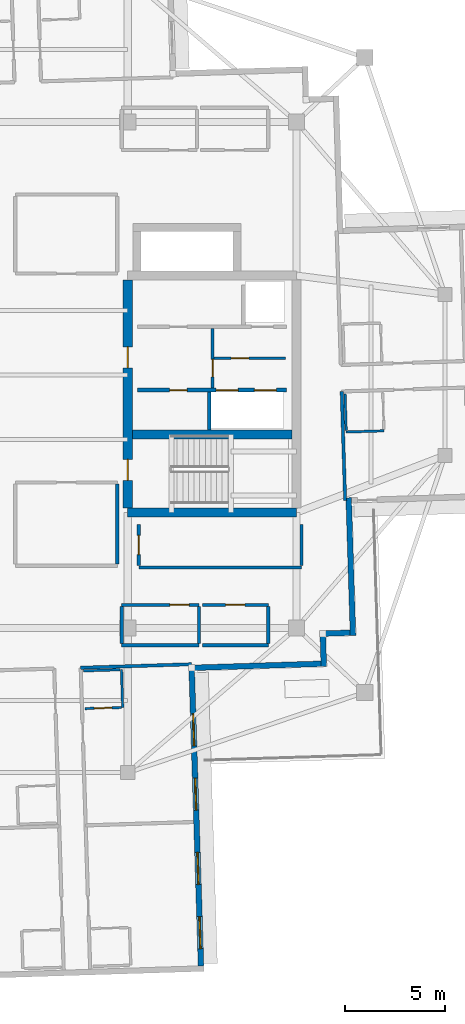
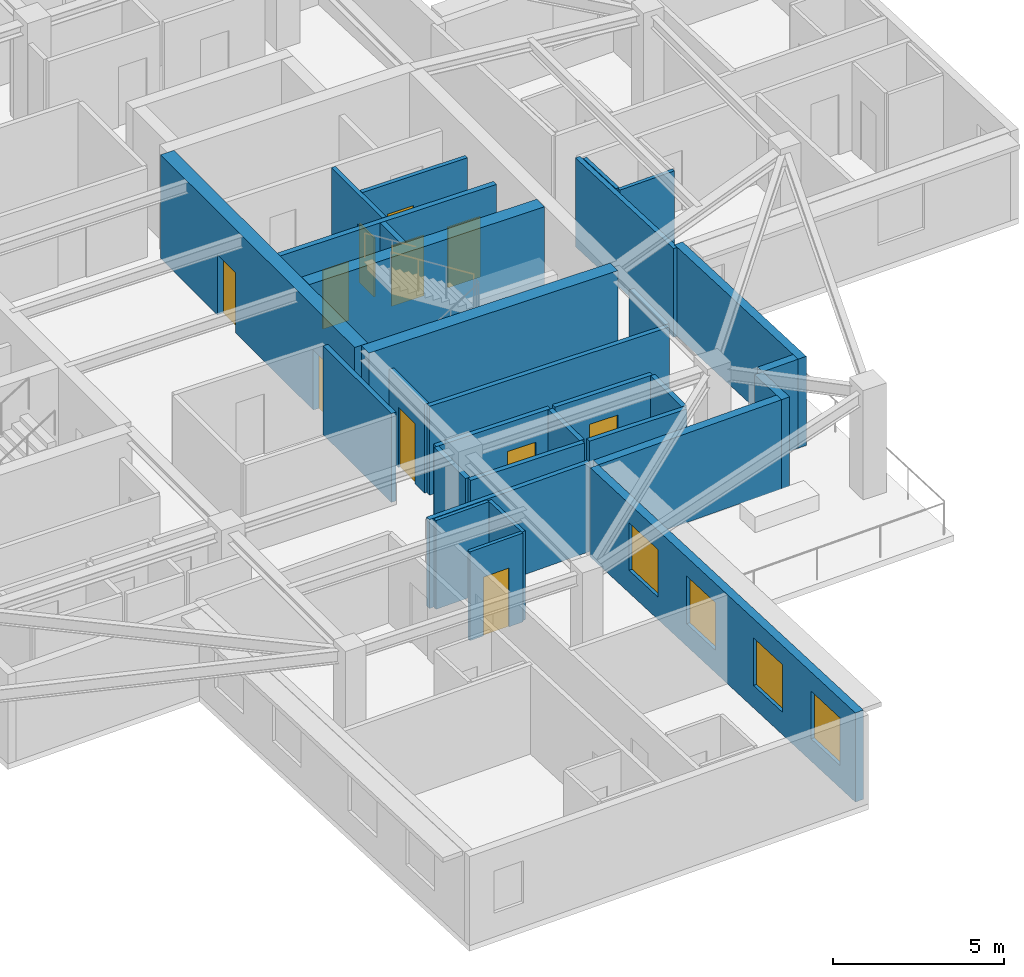
# One storey, part 5 of 13: 30 walls, 11 doors, 4 windows, 15 openings.
"""IFC4 building model written with IfcOpenShell, lengths in metres."""

from ifc_helpers import new_model, si_unit, direction, frame, frame_2d, origin, place, context, subcontext, project, spatial, rectangle, extrude, material, layer, layer_set, type_object, element, fill, save


model = new_model("IFC4")

# Units and contexts
model_context = context("Model", 3, precision=1e-05, world=origin(), true_north=direction((0.0, 1.0)))
body_context = subcontext(model_context, "Body", "Model", "MODEL_VIEW")
ifc_project = project(units=[si_unit("LENGTHUNIT", "METRE"), si_unit("AREAUNIT", "SQUARE_METRE"), si_unit("VOLUMEUNIT", "CUBIC_METRE"), si_unit("PLANEANGLEUNIT", "RADIAN"), si_unit("MASSUNIT", "GRAM", prefix="KILO")], contexts=[model_context])

# Site, building, storey
site_placement = place(None, origin())
site = spatial("IfcSite", under=ifc_project, at=site_placement, CompositionType="ELEMENT")
building_placement = place(site_placement, origin())
building = spatial("IfcBuilding", under=site, at=building_placement, Name="Qingluan Cross Belvedere", CompositionType="ELEMENT")
storey_placement = place(building_placement, frame((0.0, 0.0, 273.300048828125)))
storey = spatial("IfcBuildingStorey", under=building, at=storey_placement, Name="L68", CompositionType="ELEMENT", Elevation=273.300048828125)

# Wall
ifc_material_1 = material(Name="Concrete C50", Category="concrete")
ifc_layer_1 = layer(ifc_material_1, 0.449951171875, Name="CoreShearWall_450")
ifc_layer_set_1 = layer_set([ifc_layer_1], Name="Concrete C50")
wall_type_1 = type_object("IfcWallType", Name="CoreShearWall_450", PredefinedType="SHEAR", material=ifc_layer_set_1)
wall_1_placement = place(storey_placement, frame((4.0, -6.85009765625, 0.0), z_axis=(0.0, 0.0, 1.0), x_axis=(1.0, 0.0, 0.0)))
element("IfcWall", 1, at=wall_1_placement, inside=storey, type_object=wall_type_1, Name="Split core E shear wall L68-S", PredefinedType="SHEAR", context=body_context, shape_type="SweptSolid", body=[
    extrude(rectangle(XDim=8.39990234375, YDim=0.449951171875, at=frame_2d((4.199951171875, 0.0))), origin(), (0.0, 0.0, 1.0), 3.699951171875),
])

# Wall, openings, doors
wall_2_placement = place(storey_placement, frame((4.0, -6.6201171875, 0.0), z_axis=(0.0, 0.0, 1.0), x_axis=(0.0, 1.0, 0.0)))
wall_2 = element("IfcWall", 2, at=wall_2_placement, inside=storey, type_object=wall_type_1, Name="Split core E shear wall L68-W", PredefinedType="SHEAR", context=body_context, shape_type="SweptSolid", body=[
    extrude(rectangle(XDim=11.340087890625, YDim=0.449951171875, at=frame_2d((5.669921875, 0.0))), origin(), (0.0, 0.0, 1.0), 3.699951171875),
])
opening_1_placement = place(wall_2_placement, frame((1.3701171875, 0.0, 0.0)))
opening_1 = element("IfcOpeningElement", 3, at=opening_1_placement, cuts=wall_2, Name="Opening FD-B11", PredefinedType="OPENING", context=body_context, shape_type="SweptSolid", body=[
    extrude(rectangle(XDim=1.050048828125, YDim=2.14990234375, at=frame_2d((0.52490234375, 1.074951171875))), frame((0.0, 0.23486328125, 0.0), z_axis=(0.0, -1.0, 0.0), x_axis=(1.0, 0.0, 0.0)), (0.0, 0.0, 1.0), 0.469970703125),
])
opening_2_placement = place(wall_2_placement, frame((6.969970703125, 0.0, 0.0)))
opening_2 = element("IfcOpeningElement", 4, at=opening_2_placement, cuts=wall_2, Name="Opening FD-B11", PredefinedType="OPENING", context=body_context, shape_type="SweptSolid", body=[
    extrude(rectangle(XDim=1.050048828125, YDim=2.14990234375, at=frame_2d((0.52490234375, 1.074951171875))), frame((0.0, 0.23486328125, 0.0), z_axis=(0.0, -1.0, 0.0), x_axis=(1.0, 0.0, 0.0)), (0.0, 0.0, 1.0), 0.469970703125),
])
ifc_material_2 = material(Name="Steel Class B smoke-seal fire door", Category="steel")
door_type_1 = type_object("IfcDoorType", Name="StairLobbyFireDoor_FDB", OperationType="NOTDEFINED", PredefinedType="DOOR", material=ifc_material_2)
door_1_placement = place(opening_1_placement, origin())
door_1 = element("IfcDoor", 5, at=door_1_placement, inside=storey, type_object=door_type_1, Name="Smoke-proof stair ST2 fire door L68", OperationType="SINGLE_SWING_LEFT", OverallHeight=2.14990234375, OverallWidth=1.050048828125, PredefinedType="DOOR", context=body_context, shape_type="SweptSolid", body=[
    extrude(rectangle(XDim=1.050048828125, YDim=2.14990234375, at=frame_2d((0.52490234375, 1.074951171875))), frame((0.0, 0.02490234375, 0.0), z_axis=(0.0, -1.0, 0.0), x_axis=(1.0, 0.0, 0.0)), (0.0, 0.0, 1.0), 0.050048828125),
])
fill(opening_1, door_1)
door_2_placement = place(opening_2_placement, origin())
door_2 = element("IfcDoor", 6, at=door_2_placement, inside=storey, type_object=door_type_1, Name="Firefighting lobby East fire door L68", OperationType="SINGLE_SWING_LEFT", OverallHeight=2.14990234375, OverallWidth=1.050048828125, PredefinedType="DOOR", context=body_context, shape_type="SweptSolid", body=[
    extrude(rectangle(XDim=1.050048828125, YDim=2.14990234375, at=frame_2d((0.52490234375, 1.074951171875))), frame((0.0, 0.02490234375, 0.0), z_axis=(0.0, -1.0, 0.0), x_axis=(1.0, 0.0, 0.0)), (0.0, 0.0, 1.0), 0.050048828125),
])
fill(opening_2, door_2)

# Wall
wall_3_placement = place(storey_placement, frame((4.22998046875, -2.9599609375, 0.0), z_axis=(0.0, 0.0, 1.0), x_axis=(1.0, 0.0, 0.0)))
element("IfcWall", 7, at=wall_3_placement, inside=storey, type_object=wall_type_1, Name="Split core E shear wall L68-M", PredefinedType="SHEAR", context=body_context, shape_type="SweptSolid", body=[
    extrude(rectangle(XDim=7.93994140625, YDim=0.449951171875, at=frame_2d((3.969970703125, 0.0))), origin(), (0.0, 0.0, 1.0), 3.699951171875),
])

# Wall, opening, door
ifc_material_3 = material(Name="Gypsum plasterboard on steel stud acoustic partition", Category="steel")
ifc_layer_2 = layer(ifc_material_3, 0.159912109375, Name="CorridorPartition_160")
ifc_layer_set_2 = layer_set([ifc_layer_2], Name="Gypsum plasterboard on steel stud acoustic partition")
wall_type_2 = type_object("IfcWallType", Name="CorridorPartition_160", PredefinedType="PARTITIONING", material=ifc_layer_set_2)
wall_4_placement = place(storey_placement, frame((8.298095703125, 0.830078125, 0.0), z_axis=(0.0, 0.0, 1.0), x_axis=(1.0, 0.0, 0.0)))
wall_4 = element("IfcWall", 8, at=wall_4_placement, inside=storey, type_object=wall_type_2, Name="Partition L68:e", PredefinedType="PARTITIONING", context=body_context, shape_type="SweptSolid", body=[
    extrude(rectangle(XDim=3.552001953125, YDim=0.139892578125, at=frame_2d((1.77587890625, 0.0))), origin(), (0.0, 0.0, 1.0), 3.169921875),
])
opening_3_placement = place(wall_4_placement, frame((0.85009765625, 0.0, 0.0)))
opening_3 = element("IfcOpeningElement", 9, at=opening_3_placement, cuts=wall_4, Name="Opening FD-B10", PredefinedType="OPENING", context=body_context, shape_type="SweptSolid", body=[
    extrude(rectangle(XDim=0.8798828125, YDim=2.10009765625, at=frame_2d((0.43994140625, 1.050048828125))), frame((0.0, 0.079833984375, 0.0), z_axis=(0.0, -1.0, 0.0), x_axis=(1.0, 0.0, 0.0)), (0.0, 0.0, 1.0), 0.159912109375),
])
ifc_material_4 = material(Name="Steel Class B service fire door", Category="steel")
door_type_2 = type_object("IfcDoorType", Name="RiserServiceFireDoor_FDB", OperationType="NOTDEFINED", PredefinedType="DOOR", material=ifc_material_4)
door_3_placement = place(opening_3_placement, origin())
door_3 = element("IfcDoor", 10, at=door_3_placement, inside=storey, type_object=door_type_2, Name="Service closet inner door L68", OperationType="SINGLE_SWING_RIGHT", OverallHeight=2.10009765625, OverallWidth=0.8798828125, PredefinedType="DOOR", context=body_context, shape_type="SweptSolid", body=[
    extrude(rectangle(XDim=0.8798828125, YDim=2.10009765625, at=frame_2d((0.43994140625, 1.050048828125))), frame((0.0, 0.02490234375, 0.0), z_axis=(0.0, -1.0, 0.0), x_axis=(1.0, 0.0, 0.0)), (0.0, 0.0, 1.0), 0.050048828125),
])
fill(opening_3, door_3)

# Wall
wall_5_placement = place(storey_placement, frame((3.699951171875, -13.449951171875, 0.0), z_axis=(0.0, 0.0, 1.0), x_axis=(1.0, 0.0, 0.0)))
element("IfcWall", 11, at=wall_5_placement, inside=storey, type_object=wall_type_2, Name="Partition L68:q_se1:S", PredefinedType="PARTITIONING", context=body_context, shape_type="SweptSolid", body=[
    extrude(rectangle(XDim=3.85009765625, YDim=0.159912109375, at=frame_2d((1.925048828125, 0.0))), origin(), (0.0, 0.0, 1.0), 3.169921875),
])

# Wall, opening, door
wall_6_placement = place(storey_placement, frame((3.699951171875, -11.449951171875, 0.0), z_axis=(0.0, 0.0, 1.0), x_axis=(1.0, 0.0, 0.0)))
wall_6 = element("IfcWall", 12, at=wall_6_placement, inside=storey, type_object=wall_type_2, Name="Partition L68:q_se1:N", PredefinedType="PARTITIONING", context=body_context, shape_type="SweptSolid", body=[
    extrude(rectangle(XDim=3.85009765625, YDim=0.159912109375, at=frame_2d((1.925048828125, 0.0))), origin(), (0.0, 0.0, 1.0), 3.169921875),
])
opening_4_placement = place(wall_6_placement, frame((2.39501953125, 0.0, 0.0)))
opening_4 = element("IfcOpeningElement", 13, at=opening_4_placement, cuts=wall_6, Name="Opening GD-10", PredefinedType="OPENING", context=body_context, shape_type="SweptSolid", body=[
    extrude(rectangle(XDim=0.9599609375, YDim=2.14990234375, at=frame_2d((0.47998046875, 1.074951171875))), frame((0.0, 0.08984375, 0.0), z_axis=(0.0, -1.0, 0.0), x_axis=(1.0, 0.0, 0.0)), (0.0, 0.0, 1.0), 0.179931640625),
])
ifc_material_5 = material(Name="Timber oak fire-rated acoustic guestroom door", Category="wood")
door_type_3 = type_object("IfcDoorType", Name="GuestEntryDoor_FD60", OperationType="NOTDEFINED", PredefinedType="DOOR", material=ifc_material_5)
door_4_placement = place(opening_4_placement, origin())
door_4 = element("IfcDoor", 14, at=door_4_placement, inside=storey, type_object=door_type_3, Name="Private meeting salon L68 door", OperationType="SINGLE_SWING_RIGHT", OverallHeight=2.14990234375, OverallWidth=0.9599609375, PredefinedType="DOOR", context=body_context, shape_type="SweptSolid", body=[
    extrude(rectangle(XDim=0.9599609375, YDim=2.14990234375, at=frame_2d((0.47998046875, 1.074951171875))), frame((0.0, 0.02490234375, 0.0), z_axis=(0.0, -1.0, 0.0), x_axis=(1.0, 0.0, 0.0)), (0.0, 0.0, 1.0), 0.050048828125),
])
fill(opening_4, door_4)

# Walls
for number, where, z_axis, x_axis, name in (
    (15, (3.699951171875, -13.364990234375, 0.0), (0.0, 0.0, 1.0), (0.0, 1.0, 0.0), "Partition L68:q_se1:W"),
    (16, (7.550048828125, -13.364990234375, 0.0), (0.0, 0.0, 1.0), (0.0, 1.0, 0.0), "Partition L68:q_se1:E"),
):
    element("IfcWall", number, at=place(storey_placement, frame(where, z_axis=z_axis, x_axis=x_axis)), inside=storey, type_object=wall_type_2, Name=name, PredefinedType="PARTITIONING", context=body_context, shape_type="SweptSolid", body=[
        extrude(rectangle(XDim=1.830078125, YDim=0.159912109375, at=frame_2d((0.9150390625, 0.0))), origin(), (0.0, 0.0, 1.0), 3.169921875),
    ])
wall_7_placement = place(storey_placement, frame((7.7099609375, -13.449951171875, 0.0), z_axis=(0.0, 0.0, 1.0), x_axis=(1.0, 0.0, 0.0)))
element("IfcWall", 17, at=wall_7_placement, inside=storey, type_object=wall_type_2, Name="Partition L68:q_se2:S", PredefinedType="PARTITIONING", context=body_context, shape_type="SweptSolid", body=[
    extrude(rectangle(XDim=3.2900390625, YDim=0.159912109375, at=frame_2d((1.64501953125, 0.0))), origin(), (0.0, 0.0, 1.0), 3.169921875),
])

# Wall, opening, door
wall_8_placement = place(storey_placement, frame((7.7099609375, -11.449951171875, 0.0), z_axis=(0.0, 0.0, 1.0), x_axis=(1.0, 0.0, 0.0)))
wall_8 = element("IfcWall", 18, at=wall_8_placement, inside=storey, type_object=wall_type_2, Name="Partition L68:q_se2:N", PredefinedType="PARTITIONING", context=body_context, shape_type="SweptSolid", body=[
    extrude(rectangle(XDim=3.2900390625, YDim=0.159912109375, at=frame_2d((1.64501953125, 0.0))), origin(), (0.0, 0.0, 1.0), 3.169921875),
])
opening_5_placement = place(wall_8_placement, frame((1.1650390625, 0.0, 0.0)))
opening_5 = element("IfcOpeningElement", 19, at=opening_5_placement, cuts=wall_8, Name="Opening GD-10", PredefinedType="OPENING", context=body_context, shape_type="SweptSolid", body=[
    extrude(rectangle(XDim=0.9599609375, YDim=2.14990234375, at=frame_2d((0.47998046875, 1.074951171875))), frame((0.0, 0.08984375, 0.0), z_axis=(0.0, -1.0, 0.0), x_axis=(1.0, 0.0, 0.0)), (0.0, 0.0, 1.0), 0.179931640625),
])
door_5_placement = place(opening_5_placement, origin())
door_5 = element("IfcDoor", 20, at=door_5_placement, inside=storey, type_object=door_type_3, Name="Southeast study room L68 door", OperationType="SINGLE_SWING_LEFT", OverallHeight=2.14990234375, OverallWidth=0.9599609375, PredefinedType="DOOR", context=body_context, shape_type="SweptSolid", body=[
    extrude(rectangle(XDim=0.9599609375, YDim=2.14990234375, at=frame_2d((0.47998046875, 1.074951171875))), frame((0.0, 0.02490234375, 0.0), z_axis=(0.0, -1.0, 0.0), x_axis=(1.0, 0.0, 0.0)), (0.0, 0.0, 1.0), 0.050048828125),
])
fill(opening_5, door_5)

# Walls
wall_9_placement = place(storey_placement, frame((11.0, -13.364990234375, 0.0), z_axis=(0.0, 0.0, 1.0), x_axis=(0.0, 1.0, 0.0)))
element("IfcWall", 21, at=wall_9_placement, inside=storey, type_object=wall_type_2, Name="Partition L68:q_se2:E", PredefinedType="PARTITIONING", context=body_context, shape_type="SweptSolid", body=[
    extrude(rectangle(XDim=1.830078125, YDim=0.159912109375, at=frame_2d((0.9150390625, 0.0))), origin(), (0.0, 0.0, 1.0), 3.169921875),
])
wall_10_placement = place(storey_placement, frame((3.47998046875, -9.4150390625, 0.0), z_axis=(0.0, 0.0, 1.0), x_axis=(0.0, 1.0, 0.0)))
element("IfcWall", 22, at=wall_10_placement, inside=storey, type_object=wall_type_2, Name="Partition L68:sky_south_alcove:E", PredefinedType="PARTITIONING", context=body_context, shape_type="SweptSolid", body=[
    extrude(rectangle(XDim=3.97998046875, YDim=0.159912109375, at=frame_2d((1.989990234375, 0.0))), origin(), (0.0, 0.0, 1.0), 3.169921875),
])
wall_11_placement = place(storey_placement, frame((4.550048828125, -9.580078125, 0.0), z_axis=(0.0, 0.0, 1.0), x_axis=(1.0, 0.0, 0.0)))
element("IfcWall", 23, at=wall_11_placement, inside=storey, type_object=wall_type_2, Name="Partition L68:rec_st4:S", PredefinedType="PARTITIONING", context=body_context, shape_type="SweptSolid", body=[
    extrude(rectangle(XDim=8.099853515625, YDim=0.159912109375, at=frame_2d((4.0498046875, 0.0))), origin(), (0.0, 0.0, 1.0), 3.169921875),
])

# Wall, opening, door
wall_12_placement = place(storey_placement, frame((4.550048828125, -9.4951171875, 0.0), z_axis=(0.0, 0.0, 1.0), x_axis=(0.0, 1.0, 0.0)))
wall_12 = element("IfcWall", 24, at=wall_12_placement, inside=storey, type_object=wall_type_2, Name="Partition L68:rec_st4:W", PredefinedType="PARTITIONING", context=body_context, shape_type="SweptSolid", body=[
    extrude(rectangle(XDim=2.06005859375, YDim=0.159912109375, at=frame_2d((1.030029296875, 0.0))), origin(), (0.0, 0.0, 1.0), 3.169921875),
])
opening_6_placement = place(wall_12_placement, frame((0.550048828125, 0.0, 0.0)))
opening_6 = element("IfcOpeningElement", 25, at=opening_6_placement, cuts=wall_12, Name="Opening GD-10", PredefinedType="OPENING", context=body_context, shape_type="SweptSolid", body=[
    extrude(rectangle(XDim=0.9599609375, YDim=2.14990234375, at=frame_2d((0.47998046875, 1.074951171875))), frame((0.0, 0.08984375, 0.0), z_axis=(0.0, -1.0, 0.0), x_axis=(1.0, 0.0, 0.0)), (0.0, 0.0, 1.0), 0.179931640625),
])
door_6_placement = place(opening_6_placement, origin())
door_6 = element("IfcDoor", 26, at=door_6_placement, inside=storey, type_object=door_type_3, Name="Southeast club library room L68 door", OperationType="SINGLE_SWING_LEFT", OverallHeight=2.14990234375, OverallWidth=0.9599609375, PredefinedType="DOOR", context=body_context, shape_type="SweptSolid", body=[
    extrude(rectangle(XDim=0.9599609375, YDim=2.14990234375, at=frame_2d((0.47998046875, 1.074951171875))), frame((0.0, 0.02490234375, 0.0), z_axis=(0.0, -1.0, 0.0), x_axis=(1.0, 0.0, 0.0)), (0.0, 0.0, 1.0), 0.050048828125),
])
fill(opening_6, door_6)

# Walls
wall_13_placement = place(storey_placement, frame((12.64990234375, -9.4951171875, 0.0), z_axis=(0.0, 0.0, 1.0), x_axis=(0.0, 1.0, 0.0)))
element("IfcWall", 27, at=wall_13_placement, inside=storey, type_object=wall_type_2, Name="Partition L68:rec_st4:E", PredefinedType="PARTITIONING", context=body_context, shape_type="SweptSolid", body=[
    extrude(rectangle(XDim=2.06005859375, YDim=0.159912109375, at=frame_2d((1.030029296875, 0.0))), origin(), (0.0, 0.0, 1.0), 3.169921875),
])
wall_14_placement = place(storey_placement, frame((14.653076171875, -0.820068359375, 0.0), z_axis=(0.0, 0.0, 1.0), x_axis=(0.031414085806, -0.999506455814, 0.0)))
element("IfcWall", 28, at=wall_14_placement, inside=storey, type_object=wall_type_2, Name="Partition L68:E:s1", PredefinedType="PARTITIONING", context=body_context, shape_type="SweptSolid", body=[
    extrude(rectangle(XDim=5.440185546875, YDim=0.159912109375, at=frame_2d((2.72021484375, 0.0))), origin(), (0.0, 0.0, 1.0), 3.169921875),
])
wall_15_placement = place(storey_placement, frame((1.65869140625, -14.5751953125, 0.0), z_axis=(0.0, 0.0, 1.0), x_axis=(0.999505408206, 0.031447400002, 0.0)))
element("IfcWall", 29, at=wall_15_placement, inside=storey, type_object=wall_type_2, Name="Partition L68:S:s0", PredefinedType="PARTITIONING", context=body_context, shape_type="SweptSolid", body=[
    extrude(rectangle(XDim=5.519775390625, YDim=0.159912109375, at=frame_2d((2.759765625, 0.0))), origin(), (0.0, 0.0, 1.0), 3.169921875),
])
ifc_material_6 = material(Name="Moisture-resistant gypsum board lining")
ifc_layer_3 = layer(ifc_material_6, 0.1201171875, Name="EnsuiteWetPartition_120")
ifc_layer_set_3 = layer_set([ifc_layer_3], Name="Moisture-resistant gypsum board lining")
wall_type_3 = type_object("IfcWallType", Name="EnsuiteWetPartition_120", PredefinedType="PARTITIONING", material=ifc_layer_set_3)
wall_16_placement = place(storey_placement, frame((14.87451171875, -2.774169921875, 0.0), z_axis=(0.0, 0.0, 1.0), x_axis=(-0.031389704724, 0.999507221803, 0.0)))
element("IfcWall", 30, at=wall_16_placement, inside=storey, type_object=wall_type_3, Name="Partition L68:E:bw1_0", PredefinedType="PARTITIONING", context=body_context, shape_type="SweptSolid", body=[
    extrude(rectangle(XDim=1.820068359375, YDim=0.1201171875, at=frame_2d((0.91015625, 0.0))), origin(), (0.0, 0.0, 1.0), 3.169921875),
])
wall_17_placement = place(storey_placement, frame((14.87646484375, -2.839111328125, 0.0), z_axis=(0.0, 0.0, 1.0), x_axis=(0.999506103526, 0.031425292588, 0.0)))
element("IfcWall", 31, at=wall_17_placement, inside=storey, type_object=wall_type_3, Name="Partition L68:E:bc1_0", PredefinedType="PARTITIONING", context=body_context, shape_type="SweptSolid", body=[
    extrude(rectangle(XDim=1.880126953125, YDim=0.1201171875, at=frame_2d((0.93994140625, 0.0))), origin(), (0.0, 0.0, 1.0), 3.169921875),
])

# Wall, opening, door
wall_18_placement = place(storey_placement, frame((1.862548828125, -16.609619140625, 0.0), z_axis=(0.0, 0.0, 1.0), x_axis=(0.999507221803, 0.031389704724, 0.0)))
wall_18 = element("IfcWall", 32, at=wall_18_placement, inside=storey, type_object=wall_type_3, Name="Partition L68:S:bs0_0", PredefinedType="PARTITIONING", context=body_context, shape_type="SweptSolid", body=[
    extrude(rectangle(XDim=1.820068359375, YDim=0.1201171875, at=frame_2d((0.91015625, 0.0))), origin(), (0.0, 0.0, 1.0), 3.169921875),
])
opening_7_placement = place(wall_18_placement, frame((0.469970703125, 0.0, 0.0)))
opening_7 = element("IfcOpeningElement", 33, at=opening_7_placement, cuts=wall_18, Name="Opening BD-09", PredefinedType="OPENING", context=body_context, shape_type="SweptSolid", body=[
    extrude(rectangle(XDim=0.8798828125, YDim=2.10009765625, at=frame_2d((0.43994140625, 1.050048828125))), frame((0.0, 0.070068359375, 0.0), z_axis=(0.0, -1.0, 0.0), x_axis=(1.0, 0.0, 0.0)), (0.0, 0.0, 1.0), 0.14013671875),
])
ifc_material_7 = material(Name="Moisture-sealed timber en-suite door", Category="wood")
door_type_4 = type_object("IfcDoorType", Name="BathroomDoor_880", OperationType="NOTDEFINED", PredefinedType="DOOR", material=ifc_material_7)
door_7_placement = place(opening_7_placement, origin())
door_7 = element("IfcDoor", 34, at=door_7_placement, inside=storey, type_object=door_type_4, Name="Bathroom door 6815", OperationType="SINGLE_SWING_RIGHT", OverallHeight=2.10009765625, OverallWidth=0.8798828125, PredefinedType="DOOR", context=body_context, shape_type="SweptSolid", body=[
    extrude(rectangle(XDim=0.8798828125, YDim=2.10009765625, at=frame_2d((0.43994140625, 1.050048828125))), frame((0.0, 0.02490234375, 0.0), z_axis=(0.0, -1.0, 0.0), x_axis=(1.0, 0.0, 0.0)), (0.0, 0.0, 1.0), 0.050048828125),
])
fill(opening_7, door_7)

# Walls
wall_19_placement = place(storey_placement, frame((1.8037109375, -14.730712890625, 0.0), z_axis=(0.0, 0.0, 1.0), x_axis=(0.999503004171, 0.03152371574, 0.0)))
element("IfcWall", 35, at=wall_19_placement, inside=storey, type_object=wall_type_3, Name="Partition L68:S:bw0_0", PredefinedType="PARTITIONING", context=body_context, shape_type="SweptSolid", body=[
    extrude(rectangle(XDim=1.820068359375, YDim=0.1201171875, at=frame_2d((0.91015625, 0.0))), origin(), (0.0, 0.0, 1.0), 3.169921875),
])
wall_20_placement = place(storey_placement, frame((3.687744140625, -14.67138671875, 0.0), z_axis=(0.0, 0.0, 1.0), x_axis=(0.031295563454, -0.999510173889, 0.0)))
element("IfcWall", 36, at=wall_20_placement, inside=storey, type_object=wall_type_3, Name="Partition L68:S:bn0_0", PredefinedType="PARTITIONING", context=body_context, shape_type="SweptSolid", body=[
    extrude(rectangle(XDim=1.880126953125, YDim=0.1201171875, at=frame_2d((0.93994140625, 0.0))), origin(), (0.0, 0.0, 1.0), 3.169921875),
])

# Wall, openings, windows
ifc_material_8 = material(Name="Precast concrete C45", Category="concrete")
ifc_layer_4 = layer(ifc_material_8, 0.280029296875, Name="PrecastFacadeWall_280")
ifc_layer_set_4 = layer_set([ifc_layer_4], Name="Precast concrete C45")
wall_type_4 = type_object("IfcWallType", Name="PrecastFacadeWall_280", PredefinedType="STANDARD", material=ifc_layer_set_4)
wall_21_placement = place(storey_placement, frame((7.647705078125, -29.414306640625, 0.0), z_axis=(0.0, 0.0, 1.0), x_axis=(-0.031405855522, 0.999506714454, 0.0)))
wall_21 = element("IfcWall", 37, at=wall_21_placement, inside=storey, type_object=wall_type_4, Name="Facade wall L68-SB", PredefinedType="STANDARD", context=body_context, shape_type="SweptSolid", body=[
    extrude(rectangle(XDim=14.7001953125, YDim=0.280029296875, at=frame_2d((7.35009765625, 0.0))), origin(), (0.0, 0.0, 1.0), 3.179931640625),
])
opening_8_placement = place(wall_21_placement, frame((0.85009765625, 0.0, 0.800048828125)))
opening_8 = element("IfcOpeningElement", 38, at=opening_8_placement, cuts=wall_21, Name="Opening W-04", PredefinedType="OPENING", context=body_context, shape_type="SweptSolid", body=[
    extrude(rectangle(XDim=1.60009765625, YDim=1.699951171875, at=frame_2d((0.800048828125, 0.85009765625))), frame((0.0, 0.14990234375, 0.0), z_axis=(0.0, -1.0, 0.0), x_axis=(1.0, 0.0, 0.0)), (0.0, 0.0, 1.0), 0.300048828125),
])
opening_9_placement = place(wall_21_placement, frame((4.050048828125, 0.0, 0.800048828125)))
opening_9 = element("IfcOpeningElement", 39, at=opening_9_placement, cuts=wall_21, Name="Opening W-04", PredefinedType="OPENING", context=body_context, shape_type="SweptSolid", body=[
    extrude(rectangle(XDim=1.60009765625, YDim=1.699951171875, at=frame_2d((0.800048828125, 0.85009765625))), frame((0.0, 0.14990234375, 0.0), z_axis=(0.0, -1.0, 0.0), x_axis=(1.0, 0.0, 0.0)), (0.0, 0.0, 1.0), 0.300048828125),
])
opening_10_placement = place(wall_21_placement, frame((7.75, 0.0, 0.800048828125)))
opening_10 = element("IfcOpeningElement", 40, at=opening_10_placement, cuts=wall_21, Name="Opening W-04", PredefinedType="OPENING", context=body_context, shape_type="SweptSolid", body=[
    extrude(rectangle(XDim=1.60009765625, YDim=1.699951171875, at=frame_2d((0.800048828125, 0.85009765625))), frame((0.0, 0.14990234375, 0.0), z_axis=(0.0, -1.0, 0.0), x_axis=(1.0, 0.0, 0.0)), (0.0, 0.0, 1.0), 0.300048828125),
])
opening_11_placement = place(wall_21_placement, frame((10.949951171875, 0.0, 0.800048828125)))
opening_11 = element("IfcOpeningElement", 41, at=opening_11_placement, cuts=wall_21, Name="Opening W-04", PredefinedType="OPENING", context=body_context, shape_type="SweptSolid", body=[
    extrude(rectangle(XDim=1.60009765625, YDim=1.699951171875, at=frame_2d((0.800048828125, 0.85009765625))), frame((0.0, 0.14990234375, 0.0), z_axis=(0.0, -1.0, 0.0), x_axis=(1.0, 0.0, 0.0)), (0.0, 0.0, 1.0), 0.300048828125),
])
ifc_material_9 = material(Name="Thermally broken triple Low-E glass in aluminium frame", Category="aluminium")
window_type = type_object("IfcWindowType", Name="SuiteCornerWin_1600x1700", PartitioningType="SINGLE_PANEL", PredefinedType="WINDOW", material=ifc_material_9)
window_1_placement = place(opening_8_placement, origin())
window_1 = element("IfcWindow", 42, at=window_1_placement, inside=storey, type_object=window_type, Name="Ribbon window L68-SB-1", OverallHeight=1.699951171875, OverallWidth=1.60009765625, PartitioningType="SINGLE_PANEL", PredefinedType="WINDOW", context=body_context, shape_type="SweptSolid", body=[
    extrude(rectangle(XDim=1.60009765625, YDim=1.699951171875, at=frame_2d((0.800048828125, 0.85009765625))), frame((0.0, 0.030029296875, 0.0), z_axis=(0.0, -1.0, 0.0), x_axis=(1.0, 0.0, 0.0)), (0.0, 0.0, 1.0), 0.06005859375),
])
fill(opening_8, window_1)
window_2_placement = place(opening_9_placement, origin())
window_2 = element("IfcWindow", 43, at=window_2_placement, inside=storey, type_object=window_type, Name="Ribbon window L68-SB-2", OverallHeight=1.699951171875, OverallWidth=1.60009765625, PartitioningType="SINGLE_PANEL", PredefinedType="WINDOW", context=body_context, shape_type="SweptSolid", body=[
    extrude(rectangle(XDim=1.60009765625, YDim=1.699951171875, at=frame_2d((0.800048828125, 0.85009765625))), frame((0.0, 0.030029296875, 0.0), z_axis=(0.0, -1.0, 0.0), x_axis=(1.0, 0.0, 0.0)), (0.0, 0.0, 1.0), 0.06005859375),
])
fill(opening_9, window_2)
window_3_placement = place(opening_10_placement, origin())
window_3 = element("IfcWindow", 44, at=window_3_placement, inside=storey, type_object=window_type, Name="Ribbon window L68-SB-3", OverallHeight=1.699951171875, OverallWidth=1.60009765625, PartitioningType="SINGLE_PANEL", PredefinedType="WINDOW", context=body_context, shape_type="SweptSolid", body=[
    extrude(rectangle(XDim=1.60009765625, YDim=1.699951171875, at=frame_2d((0.800048828125, 0.85009765625))), frame((0.0, 0.030029296875, 0.0), z_axis=(0.0, -1.0, 0.0), x_axis=(1.0, 0.0, 0.0)), (0.0, 0.0, 1.0), 0.06005859375),
])
fill(opening_10, window_3)
window_4_placement = place(opening_11_placement, origin())
window_4 = element("IfcWindow", 45, at=window_4_placement, inside=storey, type_object=window_type, Name="Ribbon window L68-SB-4", OverallHeight=1.699951171875, OverallWidth=1.60009765625, PartitioningType="SINGLE_PANEL", PredefinedType="WINDOW", context=body_context, shape_type="SweptSolid", body=[
    extrude(rectangle(XDim=1.60009765625, YDim=1.699951171875, at=frame_2d((0.800048828125, 0.85009765625))), frame((0.0, 0.030029296875, 0.0), z_axis=(0.0, -1.0, 0.0), x_axis=(1.0, 0.0, 0.0)), (0.0, 0.0, 1.0), 0.06005859375),
])
fill(opening_11, window_4)

# Walls
wall_22_placement = place(storey_placement, frame((14.99951171875, -6.11181640625, 0.0), z_axis=(0.0, 0.0, 1.0), x_axis=(0.031389189386, -0.999507237988, 0.0)))
element("IfcWall", 46, at=wall_22_placement, inside=storey, type_object=wall_type_4, Name="Corner wall L68-SE1", PredefinedType="STANDARD", context=body_context, shape_type="SweptSolid", body=[
    extrude(rectangle(XDim=6.860107421875, YDim=0.280029296875, at=frame_2d((3.43017578125, 0.0))), origin(), (0.0, 0.0, 1.0), 3.179931640625),
])
wall_23_placement = place(storey_placement, frame((15.070556640625, -12.8330078125, 0.0), z_axis=(0.0, 0.0, 1.0), x_axis=(-0.999506398264, -0.031415916822, 0.0)))
element("IfcWall", 47, at=wall_23_placement, inside=storey, type_object=wall_type_4, Name="Corner wall L68-SE2", PredefinedType="STANDARD", context=body_context, shape_type="SweptSolid", body=[
    extrude(rectangle(XDim=1.219970703125, YDim=0.280029296875, at=frame_2d((0.60986328125, 0.0))), origin(), (0.0, 0.0, 1.0), 3.179931640625),
])
wall_24_placement = place(storey_placement, frame((13.715576171875, -13.015625, 0.0), z_axis=(0.0, 0.0, 1.0), x_axis=(0.031412596484, -0.999506502621, 0.0)))
element("IfcWall", 48, at=wall_24_placement, inside=storey, type_object=wall_type_4, Name="Corner wall L68-SE3", PredefinedType="STANDARD", context=body_context, shape_type="SweptSolid", body=[
    extrude(rectangle(XDim=1.5, YDim=0.280029296875, at=frame_2d((0.75, 0.0))), origin(), (0.0, 0.0, 1.0), 3.179931640625),
])
wall_25_placement = place(storey_placement, frame((13.618408203125, -14.37939453125, 0.0), z_axis=(0.0, 0.0, 1.0), x_axis=(-0.999507224741, -0.031389611199, 0.0)))
element("IfcWall", 49, at=wall_25_placement, inside=storey, type_object=wall_type_4, Name="Corner wall L68-SE4", PredefinedType="STANDARD", context=body_context, shape_type="SweptSolid", body=[
    extrude(rectangle(XDim=6.300048828125, YDim=0.280029296875, at=frame_2d((3.14990234375, 0.0))), origin(), (0.0, 0.0, 1.0), 3.179931640625),
])

# Wall, openings, doors
ifc_material_10 = material(Name="Concrete C40", Category="concrete")
ifc_layer_5 = layer(ifc_material_10, 0.219970703125, Name="ShaftEnclosureWall_250")
ifc_layer_set_5 = layer_set([ifc_layer_5], Name="Concrete C40")
wall_type_5 = type_object("IfcWallType", Name="ShaftEnclosureWall_250", PredefinedType="SOLIDWALL", material=ifc_layer_set_5)
wall_26_placement = place(storey_placement, frame((4.47998046875, -0.75, 0.0), z_axis=(0.0, 0.0, 1.0), x_axis=(1.0, 0.0, 0.0)))
wall_26 = element("IfcWall", 50, at=wall_26_placement, inside=storey, type_object=wall_type_5, Name="Core-E mid hoistway wall L68", PredefinedType="SOLIDWALL", context=body_context, shape_type="SweptSolid", body=[
    extrude(rectangle(XDim=7.419921875, YDim=0.179931640625, at=frame_2d((3.7099609375, 0.0))), origin(), (0.0, 0.0, 1.0), 3.169921875),
])
opening_12_placement = place(wall_26_placement, frame((3.919921875, 0.0, 0.0)))
opening_12 = element("IfcOpeningElement", 51, at=opening_12_placement, cuts=wall_26, Name="Opening LD-11", PredefinedType="OPENING", context=body_context, shape_type="SweptSolid", body=[
    extrude(rectangle(XDim=1.10009765625, YDim=2.14990234375, at=frame_2d((0.550048828125, 1.074951171875))), frame((0.0, 0.099853515625, 0.0), z_axis=(0.0, -1.0, 0.0), x_axis=(1.0, 0.0, 0.0)), (0.0, 0.0, 1.0), 0.199951171875),
])
opening_13_placement = place(wall_26_placement, frame((5.820068359375, 0.0, 0.0)))
opening_13 = element("IfcOpeningElement", 52, at=opening_13_placement, cuts=wall_26, Name="Opening LD-11", PredefinedType="OPENING", context=body_context, shape_type="SweptSolid", body=[
    extrude(rectangle(XDim=1.10009765625, YDim=2.14990234375, at=frame_2d((0.550048828125, 1.074951171875))), frame((0.0, 0.099853515625, 0.0), z_axis=(0.0, -1.0, 0.0), x_axis=(1.0, 0.0, 0.0)), (0.0, 0.0, 1.0), 0.199951171875),
])
opening_14_placement = place(wall_26_placement, frame((1.60009765625, 0.0, 0.0)))
opening_14 = element("IfcOpeningElement", 53, at=opening_14_placement, cuts=wall_26, Name="Opening FD-B10", PredefinedType="OPENING", context=body_context, shape_type="SweptSolid", body=[
    extrude(rectangle(XDim=0.8798828125, YDim=2.10009765625, at=frame_2d((0.43994140625, 1.050048828125))), frame((0.0, 0.099853515625, 0.0), z_axis=(0.0, -1.0, 0.0), x_axis=(1.0, 0.0, 0.0)), (0.0, 0.0, 1.0), 0.199951171875),
])
ifc_material_11 = material(Name="Brushed stainless steel centre-opening lift landing door", Category="steel")
door_type_5 = type_object("IfcDoorType", Name="LiftLandingSlidingDoor_1100", OperationType="DOUBLE_DOOR_SLIDING", PredefinedType="DOOR", material=ifc_material_11)
door_8_placement = place(opening_12_placement, origin())
door_8 = element("IfcDoor", 54, at=door_8_placement, inside=storey, type_object=door_type_5, Name="Lift landing sliding door LP9 L68", OperationType="DOUBLE_DOOR_SLIDING", OverallHeight=2.14990234375, OverallWidth=1.10009765625, PredefinedType="DOOR", context=body_context, shape_type="SweptSolid", body=[
    extrude(rectangle(XDim=1.10009765625, YDim=2.14990234375, at=frame_2d((0.550048828125, 1.074951171875))), frame((0.0, 0.02490234375, 0.0), z_axis=(0.0, -1.0, 0.0), x_axis=(1.0, 0.0, 0.0)), (0.0, 0.0, 1.0), 0.050048828125),
])
fill(opening_12, door_8)
door_9_placement = place(opening_13_placement, origin())
door_9 = element("IfcDoor", 55, at=door_9_placement, inside=storey, type_object=door_type_5, Name="Lift landing sliding door LP10 L68", OperationType="DOUBLE_DOOR_SLIDING", OverallHeight=2.14990234375, OverallWidth=1.10009765625, PredefinedType="DOOR", context=body_context, shape_type="SweptSolid", body=[
    extrude(rectangle(XDim=1.10009765625, YDim=2.14990234375, at=frame_2d((0.550048828125, 1.074951171875))), frame((0.0, 0.02490234375, 0.0), z_axis=(0.0, -1.0, 0.0), x_axis=(1.0, 0.0, 0.0)), (0.0, 0.0, 1.0), 0.050048828125),
])
fill(opening_13, door_9)
door_10_placement = place(opening_14_placement, origin())
door_10 = element("IfcDoor", 56, at=door_10_placement, inside=storey, type_object=door_type_2, Name="Upper-zone linen store door L68", OperationType="SINGLE_SWING_RIGHT", OverallHeight=2.10009765625, OverallWidth=0.8798828125, PredefinedType="DOOR", context=body_context, shape_type="SweptSolid", body=[
    extrude(rectangle(XDim=0.8798828125, YDim=2.10009765625, at=frame_2d((0.43994140625, 1.050048828125))), frame((0.0, 0.02490234375, 0.0), z_axis=(0.0, -1.0, 0.0), x_axis=(1.0, 0.0, 0.0)), (0.0, 0.0, 1.0), 0.050048828125),
])
fill(opening_14, door_10)

# Wall
wall_27_placement = place(storey_placement, frame((8.06005859375, -2.72998046875, 0.0), z_axis=(0.0, 0.0, 1.0), x_axis=(0.0, 1.0, 0.0)))
element("IfcWall", 57, at=wall_27_placement, inside=storey, type_object=wall_type_5, Name="Hoistway enclosure divider LP9W L68", PredefinedType="SOLIDWALL", context=body_context, shape_type="SweptSolid", body=[
    extrude(rectangle(XDim=1.889892578125, YDim=0.179931640625, at=frame_2d((0.94482421875, 0.0))), origin(), (0.0, 0.0, 1.0), 3.169921875),
])

# Wall, opening, door
wall_28_placement = place(storey_placement, frame((8.219970703125, -0.64990234375, 0.0), z_axis=(0.0, 0.0, 1.0), x_axis=(0.0, 1.0, 0.0)))
wall_28 = element("IfcWall", 58, at=wall_28_placement, inside=storey, type_object=wall_type_5, Name="Core-E service corridor wall L68", PredefinedType="SOLIDWALL", context=body_context, shape_type="SweptSolid", body=[
    extrude(rectangle(XDim=2.9599609375, YDim=0.139892578125, at=frame_2d((1.47998046875, 0.0))), origin(), (0.0, 0.0, 1.0), 3.169921875),
])
opening_15_placement = place(wall_28_placement, frame((0.550048828125, 0.0, 0.0)))
opening_15 = element("IfcOpeningElement", 59, at=opening_15_placement, cuts=wall_28, Name="Opening FD-B10", PredefinedType="OPENING", context=body_context, shape_type="SweptSolid", body=[
    extrude(rectangle(XDim=0.8798828125, YDim=2.10009765625, at=frame_2d((0.43994140625, 1.050048828125))), frame((0.0, 0.079833984375, 0.0), z_axis=(0.0, -1.0, 0.0), x_axis=(1.0, 0.0, 0.0)), (0.0, 0.0, 1.0), 0.159912109375),
])
door_11_placement = place(opening_15_placement, origin())
door_11 = element("IfcDoor", 60, at=door_11_placement, inside=storey, type_object=door_type_2, Name="Core-E service room door L68", OperationType="SINGLE_SWING_RIGHT", OverallHeight=2.10009765625, OverallWidth=0.8798828125, PredefinedType="DOOR", context=body_context, shape_type="SweptSolid", body=[
    extrude(rectangle(XDim=0.8798828125, YDim=2.10009765625, at=frame_2d((0.43994140625, 1.050048828125))), frame((0.0, 0.02490234375, 0.0), z_axis=(0.0, -1.0, 0.0), x_axis=(1.0, 0.0, 0.0)), (0.0, 0.0, 1.0), 0.050048828125),
])
fill(opening_15, door_11)

save(model, "model.ifc")
